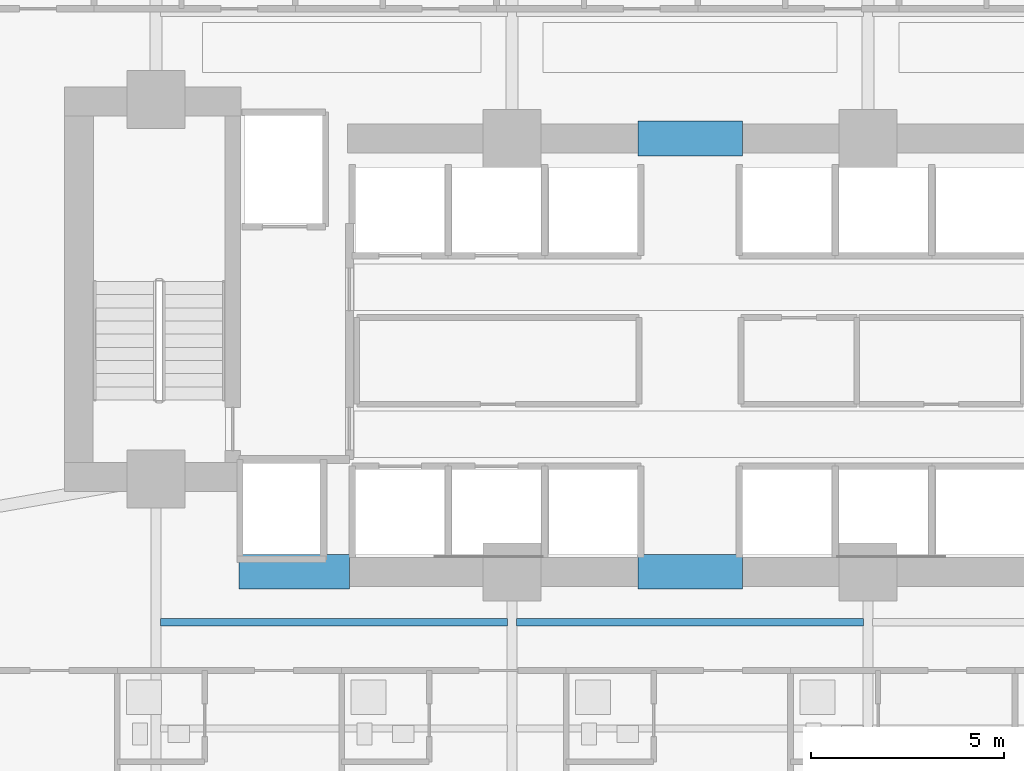
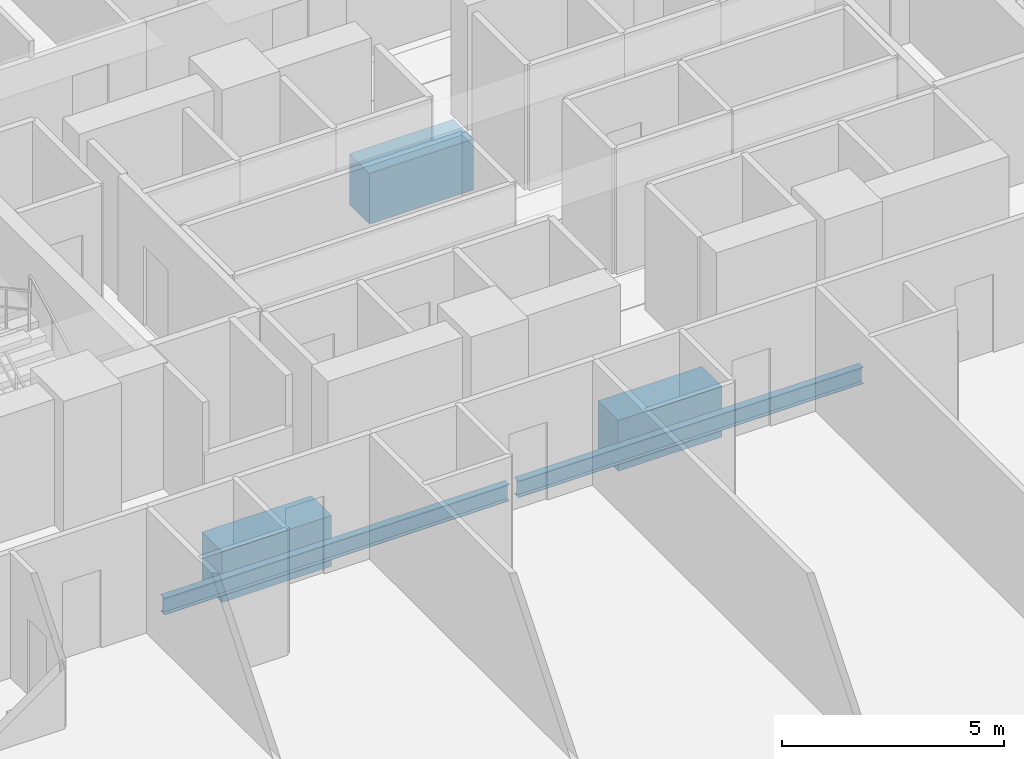
# One storey, part 8 of 29: 5 beams.
"""IFC4 building model written with IfcOpenShell, lengths in metres."""

from ifc_helpers import new_model, si_unit, direction, frame, origin, origin_2d, place, context, subcontext, project, spatial, rectangle, i_section, extrude, material, material_profile, profile_set, type_object, element, save


model = new_model("IFC4")

# Units and contexts
model_context = context("Model", 3, precision=1e-05, world=origin(), true_north=direction((0.0, 1.0)))
body_context = subcontext(model_context, "Body", "Model", "MODEL_VIEW")
ifc_project = project(units=[si_unit("LENGTHUNIT", "METRE"), si_unit("AREAUNIT", "SQUARE_METRE"), si_unit("VOLUMEUNIT", "CUBIC_METRE"), si_unit("PLANEANGLEUNIT", "RADIAN"), si_unit("MASSUNIT", "GRAM", prefix="KILO")], contexts=[model_context])

# Site, building, storey
site_placement = place(None, origin())
site = spatial("IfcSite", under=ifc_project, at=site_placement, CompositionType="ELEMENT")
building_placement = place(site_placement, origin())
building = spatial("IfcBuilding", under=site, at=building_placement, Name="Zuhayl Quay Hotel", CompositionType="ELEMENT")
storey_placement = place(building_placement, frame((0.0, 0.0, 150.39990234375)))
storey = spatial("IfcBuildingStorey", under=building, at=storey_placement, Name="L38", CompositionType="ELEMENT", Elevation=150.39990234375)

# Beams
ifc_material_1 = material(Name="Concrete C60/75", Category="concrete")
ifc_material_profile_1 = material_profile(ifc_material_1, rectangle(XDim=0.89990234375, YDim=1.39990234375, at=origin_2d()), Name="RC900X1400")
ifc_profile_set_1 = profile_set([ifc_material_profile_1], Name="Concrete C60/75")
beam_type_1 = type_object("IfcBeamType", Name="BM_CB1_RC900", PredefinedType="T_BEAM", material=ifc_profile_set_1)
beam_placement = place(storey_placement, frame((-11.64990234375, 2.14990234375, -0.919921875), z_axis=(1.0, 0.0, 0.0), x_axis=(0.0, 1.0, 0.0)))
element("IfcBeam", 1, at=beam_placement, inside=storey, type_object=beam_type_1, Name="L38 Core Coupling Beam SW", PredefinedType="T_BEAM", context=body_context, shape_type="SweptSolid", body=[
    extrude(rectangle(XDim=0.89990234375, YDim=1.39990234375, at=origin_2d()), origin(), (0.0, 0.0, 1.0), 2.849853515625),
])
for number, where, z_axis, x_axis, name in (
    (2, (-1.35009765625, 13.35009765625, -0.919921875), (1.0, 0.0, 0.0), (0.0, 1.0, 0.0), "L38 Core Coupling Beam North"),
    (3, (-1.35009765625, 2.14990234375, -0.919921875), (1.0, 0.0, 0.0), (0.0, 1.0, 0.0), "L38 Core Coupling Beam South"),
):
    element("IfcBeam", number, at=place(storey_placement, frame(where, z_axis=z_axis, x_axis=x_axis)), inside=storey, type_object=beam_type_1, Name=name, PredefinedType="T_BEAM", context=body_context, shape_type="SweptSolid", body=[
        extrude(rectangle(XDim=0.89990234375, YDim=1.39990234375, at=origin_2d()), origin(), (0.0, 0.0, 1.0), 2.7001953125),
    ])
ifc_material_2 = material(Name="Steel ASTM A992 Grade 50", Category="steel")
ifc_material_profile_2 = material_profile(ifc_material_2, i_section(OverallWidth=0.18994140625, OverallDepth=0.45703125, WebThickness=0.009033203125, FlangeThickness=0.014404296875, at=origin_2d()), Name="W18X50")
ifc_profile_set_2 = profile_set([ifc_material_profile_2], Name="Steel ASTM A992 Grade 50")
beam_type_2 = type_object("IfcBeamType", Name="BM_J2_W18X50", PredefinedType="JOIST", material=ifc_profile_set_2)
for number, where, z_axis, x_axis, name in (
    (4, (-13.680908203125, 0.85009765625, -0.448486328125), (1.0, 0.0, 0.0), (0.0, 1.0, 0.0), "L38 Floor Beam FJ_L38_9_1"),
    (5, (-4.48095703125, 0.85009765625, -0.448486328125), (1.0, 0.0, 0.0), (0.0, 1.0, 0.0), "L38 Floor Beam FJ_L38_9_2"),
):
    element("IfcBeam", number, at=place(storey_placement, frame(where, z_axis=z_axis, x_axis=x_axis)), inside=storey, type_object=beam_type_2, Name=name, PredefinedType="JOIST", context=body_context, shape_type="SweptSolid", body=[
        extrude(i_section(OverallWidth=0.18994140625, OverallDepth=0.45703125, WebThickness=0.009033203125, FlangeThickness=0.014404296875, at=origin_2d()), origin(), (0.0, 0.0, 1.0), 8.9619140625),
    ])

save(model, "model.ifc")
